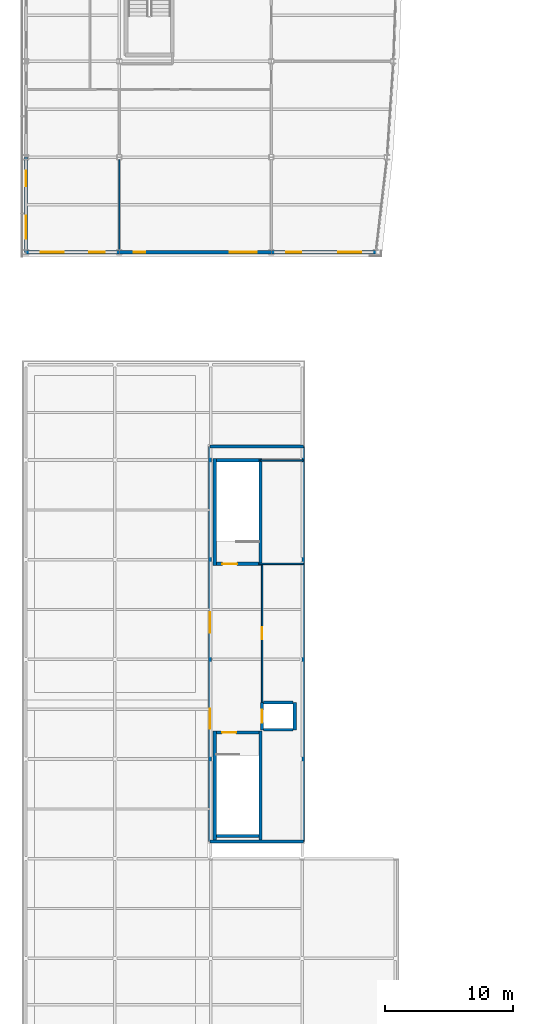
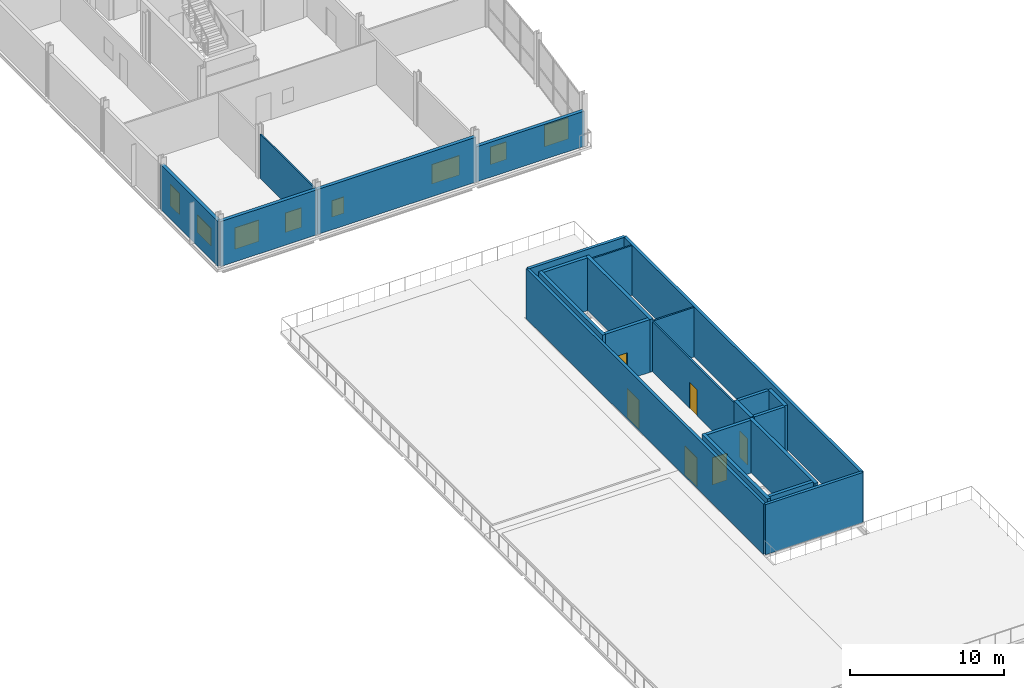
# One storey, part 23 of 36: 24 walls, 8 windows, 6 doors, 14 openings.
"""IFC4 building model written with IfcOpenShell, lengths in metres."""

import ifcopenshell
import ifcopenshell.guid

model = None  # the IFC model being written
_history = None  # IfcOwnerHistory: only IFC2X3 demands one
_inside = {}  # id of a spatial element -> (the spatial element, [elements in it])
_under = {}  # id of a project, library or spatial element -> (it, [spatial elements below it])
_declared = {}  # id of a project -> (the project, [libraries it declares])
_typed = {}  # id of a type object -> (the type object, [elements of that type])
_made_of = {}  # id of a material, layer set ... -> (it, [elements and type objects made of it])


def new_model(schema):
    """Start an empty IFC model of exactly this schema.

    Asked for "IFC4X3", IfcOpenShell would pick the latest addendum, in which some entities
    have other attributes; the version numbers below select the first issue.
    IFC2X3 requires an IfcOwnerHistory on every rooted entity: one is made here for all.
    """
    global model, _history
    if schema == "IFC4X3":
        model = ifcopenshell.file(schema_version=(4, 3, 0, 0))
    else:
        model = ifcopenshell.file(schema=schema)
    _inside.clear()
    _under.clear()
    _declared.clear()
    _typed.clear()
    _made_of.clear()
    _history = None
    if model.schema == "IFC2X3":
        org = make("IfcOrganization", Name="unknown")
        user = make(
            "IfcPersonAndOrganization",
            ThePerson=make("IfcPerson", FamilyName="unknown"),
            TheOrganization=org,
        )
        app = make(
            "IfcApplication",
            ApplicationDeveloper=org,
            Version="unknown",
            ApplicationFullName="unknown",
            ApplicationIdentifier="unknown",
        )
        _history = make(
            "IfcOwnerHistory",
            OwningUser=user,
            OwningApplication=app,
            ChangeAction="ADDED",
            CreationDate=0,
        )
    return model


def make(cls, **values):
    """One entity of the class cls with the attributes given. An attribute that is None is left unset."""
    return model.create_entity(
        cls, **{name: value for name, value in values.items() if value is not None}
    )


def rooted(cls, **values):
    """An entity with a GlobalId (a new one), such as an element, a storey or a relation."""
    return make(cls, GlobalId=ifcopenshell.guid.new(), OwnerHistory=_history, **values)


def si_unit(unit_type, name, prefix=None):
    """IfcSIUnit, for example si_unit("LENGTHUNIT", "METRE", prefix="MILLI")."""
    return make("IfcSIUnit", UnitType=unit_type, Prefix=prefix, Name=name)


def assignment(units):
    """IfcUnitAssignment: the units of a project."""
    return None if units is None else make("IfcUnitAssignment", Units=units)


def point(xyz):
    """IfcCartesianPoint."""
    return None if xyz is None else make("IfcCartesianPoint", Coordinates=xyz)


def direction(xyz):
    """IfcDirection."""
    return None if xyz is None else make("IfcDirection", DirectionRatios=xyz)


def frame(location, z_axis=None, x_axis=None):
    """IfcAxis2Placement3D, a coordinate frame: its origin and axes. An axis left out is left unset."""
    return make(
        "IfcAxis2Placement3D",
        Location=point(location),
        Axis=direction(z_axis),
        RefDirection=direction(x_axis),
    )


def frame_2d(location, x_axis=None):
    """IfcAxis2Placement2D, a coordinate frame in the plane: its origin and x axis."""
    return make(
        "IfcAxis2Placement2D", Location=point(location), RefDirection=direction(x_axis)
    )


def origin():
    """The frame at (0, 0, 0) with its axes left unset."""
    return frame((0.0, 0.0, 0.0))


def place(relative_to, where):
    """IfcLocalPlacement: puts the frame where relative to a parent placement (None: the world)."""
    return make(
        "IfcLocalPlacement", PlacementRelTo=relative_to, RelativePlacement=where
    )


def context(
    kind, dimensions, precision=None, world=None, true_north=None, identifier=None
):
    """IfcGeometricRepresentationContext, for example the 3D "Model" context."""
    return make(
        "IfcGeometricRepresentationContext",
        ContextIdentifier=identifier,
        ContextType=kind,
        CoordinateSpaceDimension=dimensions,
        Precision=precision,
        WorldCoordinateSystem=world,
        TrueNorth=true_north,
    )


def subcontext(parent, identifier, kind, view, scale=None):
    """IfcGeometricRepresentationSubContext, for example "Body" below "Model"."""
    return make(
        "IfcGeometricRepresentationSubContext",
        ContextIdentifier=identifier,
        ContextType=kind,
        ParentContext=parent,
        TargetScale=scale,
        TargetView=view,
    )


def project(units=None, contexts=None):
    """IfcProject with its units and contexts."""
    return rooted(
        "IfcProject",
        Name="project",
        RepresentationContexts=contexts,
        UnitsInContext=assignment(units),
    )


def spatial(cls, under=None, at=None, **own):
    """A site, building, storey or space (cls), placed at a placement, below another one or the project."""
    s = rooted(cls, ObjectPlacement=at, **own)
    if under is not None:
        _under.setdefault(under.id(), (under, []))[1].append(s)
    return s


def profile(cls, at=None, kind="AREA", **sizes):
    """A parametric profile (cls). Its sizes go by their IFC names, for example OverallWidth=200.0."""
    return make(cls, ProfileType=kind, Position=at, **sizes)


def rectangle(**sizes):
    """IfcRectangleProfileDef."""
    return profile("IfcRectangleProfileDef", **sizes)


def extrude(swept, where, along, depth):
    """IfcExtrudedAreaSolid: the profile swept, set in the frame where, extruded along a direction by depth."""
    return make(
        "IfcExtrudedAreaSolid",
        SweptArea=swept,
        Position=where,
        ExtrudedDirection=direction(along),
        Depth=depth,
    )


def shape(context_of_items, identifier, shape_type, items):
    """IfcShapeRepresentation: the items that make up one representation, for example the "Body"."""
    return make(
        "IfcShapeRepresentation",
        ContextOfItems=context_of_items,
        RepresentationIdentifier=identifier,
        RepresentationType=shape_type,
        Items=items,
    )


def material(Name=None, Category=None):
    """IfcMaterial."""
    return make("IfcMaterial", Name=Name, Category=Category)


def layer(
    of_material, thickness, ventilated=None, Name=None, Category=None, Priority=None
):
    """IfcMaterialLayer: one layer of a wall or slab, of a material (None: an air gap)."""
    return make(
        "IfcMaterialLayer",
        Material=of_material,
        LayerThickness=thickness,
        IsVentilated=ventilated,
        Name=Name,
        Category=Category,
        Priority=Priority,
    )


def layer_set(layers, Name=None):
    """IfcMaterialLayerSet."""
    return make("IfcMaterialLayerSet", MaterialLayers=layers, LayerSetName=Name)


def made_of(thing, what):
    """Note that an element or type object is made of a material, layer set ...; save() writes the relation."""
    if what is not None:
        _made_of.setdefault(what.id(), (what, []))[1].append(thing)
    return thing


def type_object(cls, material=None, **own):
    """A type object (cls), such as IfcWallType, which elements share."""
    return made_of(rooted(cls, **own), material)


def element(
    cls,
    number,
    at=None,
    inside=None,
    cuts=None,
    type_object=None,
    material=None,
    context=None,
    identifier="Body",
    shape_type=None,
    held_by="IfcProductDefinitionShape",
    body=None,
    shapes=None,
    **own,
):
    """One element of the class cls, such as IfcWall. Its Tag is "e" and its number.

    at: its placement. inside: the storey or other place that contains it. cuts: it is an
    opening in that element (IfcRelVoidsElement). A single representation is given by context,
    identifier, shape_type and body (its items); several are given by shapes. held_by: the class
    of the entity that holds the representations. save() writes the other relations.
    """
    e = rooted(cls, Tag="e%d" % number, ObjectPlacement=at, **own)
    if body is not None:
        shapes = [shape(context, identifier, shape_type, body)]
    if shapes is not None:
        e.Representation = make(held_by, Representations=shapes)
    if inside is not None:
        _inside.setdefault(inside.id(), (inside, []))[1].append(e)
    if cuts is not None:
        rooted(
            "IfcRelVoidsElement", RelatingBuildingElement=cuts, RelatedOpeningElement=e
        )
    if type_object is not None:
        _typed.setdefault(type_object.id(), (type_object, []))[1].append(e)
    return made_of(e, material)


def fill(opening, filler):
    """IfcRelFillsElement: the door or window that sits in an opening."""
    return rooted(
        "IfcRelFillsElement",
        RelatingOpeningElement=opening,
        RelatedBuildingElement=filler,
    )


def aggregate(whole, parts):
    """IfcRelAggregates: a whole, such as a stair, and the parts it consists of."""
    return rooted("IfcRelAggregates", RelatingObject=whole, RelatedObjects=parts)


def save(model, path):
    """Write the relations noted so far, then the file.

    IfcRelAggregates (storeys below a building ...), IfcRelContainedInSpatialStructure (elements
    in a storey), IfcRelDefinesByType, IfcRelAssociatesMaterial and IfcRelDeclares: one each for
    every whole, place, type object, material and project.
    """
    for whole, parts in _under.values():
        aggregate(whole, parts)
    for where, things in _inside.values():
        rooted(
            "IfcRelContainedInSpatialStructure",
            RelatedElements=things,
            RelatingStructure=where,
        )
    for kind, things in _typed.values():
        rooted("IfcRelDefinesByType", RelatedObjects=things, RelatingType=kind)
    for what, things in _made_of.values():
        rooted("IfcRelAssociatesMaterial", RelatedObjects=things, RelatingMaterial=what)
    for by, libraries in _declared.values():
        rooted("IfcRelDeclares", RelatingContext=by, RelatedDefinitions=libraries)
    model.write(path)


model = new_model("IFC4")

# Units and contexts
model_context = context("Model", 3, precision=1e-05, world=origin(), true_north=direction((0.0, 1.0)))
body_context = subcontext(model_context, "Body", "Model", "MODEL_VIEW")
ifc_project = project(units=[si_unit("LENGTHUNIT", "METRE"), si_unit("AREAUNIT", "SQUARE_METRE"), si_unit("VOLUMEUNIT", "CUBIC_METRE"), si_unit("PLANEANGLEUNIT", "RADIAN"), si_unit("MASSUNIT", "GRAM", prefix="KILO")], contexts=[model_context])

# Site, building, storey
site_placement = place(None, origin())
site = spatial("IfcSite", under=ifc_project, at=site_placement, CompositionType="ELEMENT")
building_placement = place(site_placement, origin())
building = spatial("IfcBuilding", under=site, at=building_placement, Name="Quillay Park Conservatory", CompositionType="ELEMENT")
storey_placement = place(building_placement, frame((0.0, 0.0, 18.300048828125)))
storey = spatial("IfcBuildingStorey", under=building, at=storey_placement, Name="L04", CompositionType="ELEMENT", Elevation=18.300048828125)

# Walls
ifc_material_1 = material(Name="Steel-Stud Acoustic Gypsum Board Partition", Category="steel")
ifc_layer_1 = layer(ifc_material_1, 0.110107421875)
ifc_layer_set_1 = layer_set([ifc_layer_1], Name="ACOUSTIC GYPSUM PARTITION 110 (Steel-Stud Acoustic Gypsum Board Partition)")
wall_type_1 = type_object("IfcWallType", Name="ACOUSTIC GYPSUM PARTITION 110", PredefinedType="PARTITIONING", material=ifc_layer_set_1)
wall_1_placement = place(storey_placement, frame((7.85009765625, 63.235107421875, 0.0), z_axis=(0.0, 0.0, 1.0), x_axis=(0.0, 1.0, 0.0)))
element("IfcWall", 1, at=wall_1_placement, inside=storey, type_object=wall_type_1, Name="L04 Optical Dissection Microscopy Suite East Wall S", PredefinedType="PARTITIONING", context=body_context, shape_type="SweptSolid", body=[
    extrude(rectangle(XDim=7.072509765625, YDim=0.110107421875, at=frame_2d((3.5361328125, 0.0))), origin(), (0.0, 0.0, 1.0), 3.52685546875),
])
ifc_material_2 = material(Name="Steel-Stud Acoustic Gypsum Board Partition", Category="steel")
ifc_layer_2 = layer(ifc_material_2, 0.114990234375)
ifc_layer_set_2 = layer_set([ifc_layer_2], Name="ACOUSTIC GYPSUM PARTITION 115 (Steel-Stud Acoustic Gypsum Board Partition)")
wall_type_2 = type_object("IfcWallType", Name="ACOUSTIC GYPSUM PARTITION 115", PredefinedType="PARTITIONING", material=ifc_layer_set_2)
wall_2_placement = place(storey_placement, frame((18.89990234375, 46.77490234375, 0.0), z_axis=(0.0, 0.0, 1.0), x_axis=(1.0, 0.0, 0.0)))
element("IfcWall", 2, at=wall_2_placement, inside=storey, type_object=wall_type_2, Name="L04 Headhouse North Core Closure", PredefinedType="PARTITIONING", context=body_context, shape_type="SweptSolid", body=[
    extrude(rectangle(XDim=3.35009765625, YDim=0.114990234375, at=frame_2d((1.675048828125, 0.0))), origin(), (0.0, 0.0, 1.0), 3.949951171875),
])
ifc_material_3 = material(Name="Steel-Stud Acoustic Gypsum Board Partition", Category="steel")
ifc_layer_3 = layer(ifc_material_3, 0.1201171875)
ifc_layer_set_3 = layer_set([ifc_layer_3], Name="ACOUSTIC GYPSUM PARTITION 120 (Steel-Stud Acoustic Gypsum Board Partition)")
wall_type_3 = type_object("IfcWallType", Name="ACOUSTIC GYPSUM PARTITION 120", PredefinedType="PARTITIONING", material=ifc_layer_set_3)
wall_3_placement = place(storey_placement, frame((22.25, 38.675048828125, 0.0), z_axis=(0.0, 0.0, 1.0), x_axis=(-1.0, 0.0, 0.0)))
element("IfcWall", 3, at=wall_3_placement, inside=storey, type_object=wall_type_3, Name="L04 Teaching Lounge North Wall", PredefinedType="PARTITIONING", context=body_context, shape_type="SweptSolid", body=[
    extrude(rectangle(XDim=3.47998046875, YDim=0.1201171875, at=frame_2d((1.739990234375, 0.0))), origin(), (0.0, 0.0, 1.0), 3.949951171875),
])

# Wall, opening, door
ifc_material_4 = material(Name="Steel-Stud Acoustic Gypsum Board Partition", Category="steel")
ifc_layer_4 = layer(ifc_material_4, 0.125)
ifc_layer_set_4 = layer_set([ifc_layer_4], Name="ACOUSTIC GYPSUM PARTITION 125 (Steel-Stud Acoustic Gypsum Board Partition)")
wall_type_4 = type_object("IfcWallType", Name="ACOUSTIC GYPSUM PARTITION 125", PredefinedType="PARTITIONING", material=ifc_layer_set_4)
wall_4_placement = place(storey_placement, frame((19.02490234375, 27.824951171875, 0.0), z_axis=(0.0, 0.0, 1.0), x_axis=(0.0, 1.0, 0.0)))
wall_4 = element("IfcWall", 4, at=wall_4_placement, inside=storey, type_object=wall_type_4, Name="L04 Teaching Lounge West Door Wall", PredefinedType="PARTITIONING", context=body_context, shape_type="SweptSolid", body=[
    extrude(rectangle(XDim=10.85009765625, YDim=0.125, at=frame_2d((5.425048828125, 0.0))), origin(), (0.0, 0.0, 1.0), 3.949951171875),
])
opening_1_placement = place(wall_4_placement, frame((4.929931640625, 0.0, 0.0)))
opening_1 = element("IfcOpeningElement", 5, at=opening_1_placement, cuts=wall_4, Name="Opening D-RM32", PredefinedType="OPENING", context=body_context, shape_type="SweptSolid", body=[
    extrude(rectangle(XDim=0.93994140625, YDim=2.080078125, at=frame_2d((0.469970703125, 1.0400390625))), frame((0.0, 0.0625, 0.0), z_axis=(0.0, -1.0, 0.0), x_axis=(1.0, 0.0, 0.0)), (0.0, 0.0, 1.0), 0.125),
])
ifc_material_5 = material(Name="Thermally Broken Anodised Aluminium 6063-T6", Category="aluminium")
door_type_1 = type_object("IfcDoorType", Name="SINGLE SWING DOOR 940 X2080", OperationType="NOTDEFINED", PredefinedType="DOOR", material=ifc_material_5)
door_1_placement = place(opening_1_placement, origin())
door_1 = element("IfcDoor", 6, at=door_1_placement, inside=storey, type_object=door_type_1, Name="L04 Door to L04 Botanical Roof Garden Teaching Lounge", OperationType="SINGLE_SWING_RIGHT", OverallHeight=2.080078125, OverallWidth=0.93994140625, PredefinedType="DOOR", context=body_context, shape_type="SweptSolid", body=[
    extrude(rectangle(XDim=0.93994140625, YDim=2.080078125, at=frame_2d((0.469970703125, 1.0400390625))), frame((0.0, 0.02490234375, 0.0), z_axis=(0.0, -1.0, 0.0), x_axis=(1.0, 0.0, 0.0)), (0.0, 0.0, 1.0), 0.050048828125),
])
fill(opening_1, door_1)

# Walls
ifc_material_6 = material(Name="Concrete C35/45 (NCh170 Concrete C35/45)", Category="concrete")
ifc_layer_5 = layer(ifc_material_6, 0.22509765625)
ifc_layer_set_5 = layer_set([ifc_layer_5], Name="CORE SHEAR WALL 225 (Concrete C35/45 (NCh170 Concrete C35/45))")
wall_type_5 = type_object("IfcWallType", Name="CORE SHEAR WALL 225", PredefinedType="SHEAR", material=ifc_layer_set_5)
for number, where, z_axis, x_axis, name in (
    (7, (19.14990234375, 25.6875, 0.0), (0.0, 0.0, 1.0), (1.0, 0.0, 0.0), "L04 Core Shear Wall WL-LFV1S-L04"),
    (8, (19.14990234375, 27.8125, 0.0), (0.0, 0.0, 1.0), (1.0, 0.0, 0.0), "L04 Core Shear Wall WL-LFV1N-L04"),
):
    element("IfcWall", number, at=place(storey_placement, frame(where, z_axis=z_axis, x_axis=x_axis)), inside=storey, type_object=wall_type_5, Name=name, PredefinedType="SHEAR", context=body_context, shape_type="SweptSolid", body=[
        extrude(rectangle(XDim=2.300048828125, YDim=0.22509765625, at=frame_2d((1.14990234375, 0.0))), origin(), (0.0, 0.0, 1.0), 4.199951171875),
    ])
ifc_material_7 = material(Name="Concrete C40/50 (NCh170 Concrete C40/50)", Category="concrete")
ifc_layer_6 = layer(ifc_material_7, 0.25)
ifc_layer_set_6 = layer_set([ifc_layer_6], Name="CORE SHEAR WALL 250 (Concrete C40/50 (NCh170 Concrete C40/50))")
wall_type_6 = type_object("IfcWallType", Name="CORE SHEAR WALL 250", PredefinedType="SHEAR", material=ifc_layer_set_6)
for number, where, z_axis, x_axis, name in (
    (9, (15.324951171875, 17.06005859375, 0.0), (0.0, 0.0, 1.0), (0.0, 1.0, 0.0), "L04 Core Shear Wall WL-V1W-L04"),
    (10, (18.89501953125, 17.06005859375, 0.0), (0.0, 0.0, 1.0), (0.0, 1.0, 0.0), "L04 Core Shear Wall WL-V1E-L04"),
):
    element("IfcWall", number, at=place(storey_placement, frame(where, z_axis=z_axis, x_axis=x_axis)), inside=storey, type_object=wall_type_6, Name=name, PredefinedType="SHEAR", context=body_context, shape_type="SweptSolid", body=[
        extrude(rectangle(XDim=8.5400390625, YDim=0.25, at=frame_2d((4.27001953125, 0.0))), origin(), (0.0, 0.0, 1.0), 4.199951171875),
    ])
wall_5_placement = place(storey_placement, frame((15.449951171875, 17.375, 0.0), z_axis=(0.0, 0.0, 1.0), x_axis=(1.0, 0.0, 0.0)))
element("IfcWall", 11, at=wall_5_placement, inside=storey, type_object=wall_type_6, Name="L04 Core Shear Wall WL-V1S-L04", PredefinedType="SHEAR", context=body_context, shape_type="SweptSolid", body=[
    extrude(rectangle(XDim=3.320068359375, YDim=0.25, at=frame_2d((1.66015625, 0.0))), origin(), (0.0, 0.0, 1.0), 4.199951171875),
])

# Wall, opening, door
wall_6_placement = place(storey_placement, frame((15.449951171875, 25.47509765625, 0.0), z_axis=(0.0, 0.0, 1.0), x_axis=(1.0, 0.0, 0.0)))
wall_6 = element("IfcWall", 12, at=wall_6_placement, inside=storey, type_object=wall_type_6, Name="L04 Core Shear Wall WL-V1D-L04", PredefinedType="SHEAR", context=body_context, shape_type="SweptSolid", body=[
    extrude(rectangle(XDim=3.320068359375, YDim=0.25, at=frame_2d((1.66015625, 0.0))), origin(), (0.0, 0.0, 1.0), 4.199951171875),
])
opening_2_placement = place(wall_6_placement, frame((0.449951171875, 0.0, 0.0)))
opening_2 = element("IfcOpeningElement", 13, at=opening_2_placement, cuts=wall_6, Name="Opening D-ST01", PredefinedType="OPENING", context=body_context, shape_type="SweptSolid", body=[
    extrude(rectangle(XDim=1.10009765625, YDim=2.14990234375, at=frame_2d((0.550048828125, 1.074951171875))), frame((0.0, 0.125, 0.0), z_axis=(0.0, -1.0, 0.0), x_axis=(1.0, 0.0, 0.0)), (0.0, 0.0, 1.0), 0.25),
])
ifc_material_8 = material(Name="Steel ASTM A572 Grade 50", Category="steel")
door_type_2 = type_object("IfcDoorType", Name="FIRE RATED STAIR DOOR 1100 X2150", OperationType="NOTDEFINED", PredefinedType="DOOR", material=ifc_material_8)
door_2_placement = place(opening_2_placement, origin())
door_2 = element("IfcDoor", 14, at=door_2_placement, inside=storey, type_object=door_type_2, Name="L04 Visitor Stair ST-V1 Door", OperationType="SINGLE_SWING_LEFT", OverallHeight=2.14990234375, OverallWidth=1.10009765625, PredefinedType="DOOR", context=body_context, shape_type="SweptSolid", body=[
    extrude(rectangle(XDim=1.10009765625, YDim=2.14990234375, at=frame_2d((0.550048828125, 1.074951171875))), frame((0.0, 0.02490234375, 0.0), z_axis=(0.0, -1.0, 0.0), x_axis=(1.0, 0.0, 0.0)), (0.0, 0.0, 1.0), 0.050048828125),
])
fill(opening_2, door_2)

# Walls
for number, where, z_axis, x_axis, name in (
    (15, (15.324951171875, 38.550048828125, 0.0), (0.0, 0.0, 1.0), (0.0, 1.0, 0.0), "L04 Core Shear Wall WL-V2W-L04"),
    (16, (18.89501953125, 38.550048828125, 0.0), (0.0, 0.0, 1.0), (0.0, 1.0, 0.0), "L04 Core Shear Wall WL-V2E-L04"),
):
    element("IfcWall", number, at=place(storey_placement, frame(where, z_axis=z_axis, x_axis=x_axis)), inside=storey, type_object=wall_type_6, Name=name, PredefinedType="SHEAR", context=body_context, shape_type="SweptSolid", body=[
        extrude(rectangle(XDim=8.349853515625, YDim=0.25, at=frame_2d((4.1748046875, 0.0))), origin(), (0.0, 0.0, 1.0), 4.199951171875),
    ])
wall_7_placement = place(storey_placement, frame((15.449951171875, 46.77490234375, 0.0), z_axis=(0.0, 0.0, 1.0), x_axis=(1.0, 0.0, 0.0)))
element("IfcWall", 17, at=wall_7_placement, inside=storey, type_object=wall_type_6, Name="L04 Core Shear Wall WL-V2N-L04", PredefinedType="SHEAR", context=body_context, shape_type="SweptSolid", body=[
    extrude(rectangle(XDim=3.320068359375, YDim=0.25, at=frame_2d((1.66015625, 0.0))), origin(), (0.0, 0.0, 1.0), 4.199951171875),
])

# Wall, opening, door
wall_8_placement = place(storey_placement, frame((18.77001953125, 38.675048828125, 0.0), z_axis=(0.0, 0.0, 1.0), x_axis=(-1.0, 0.0, 0.0)))
wall_8 = element("IfcWall", 18, at=wall_8_placement, inside=storey, type_object=wall_type_6, Name="L04 Core Shear Wall WL-V2D-L04", PredefinedType="SHEAR", context=body_context, shape_type="SweptSolid", body=[
    extrude(rectangle(XDim=3.320068359375, YDim=0.25, at=frame_2d((1.66015625, 0.0))), origin(), (0.0, 0.0, 1.0), 4.199951171875),
])
opening_3_placement = place(wall_8_placement, frame((1.699951171875, 0.0, 0.0)))
opening_3 = element("IfcOpeningElement", 19, at=opening_3_placement, cuts=wall_8, Name="Opening D-ST02", PredefinedType="OPENING", context=body_context, shape_type="SweptSolid", body=[
    extrude(rectangle(XDim=1.14990234375, YDim=2.14990234375, at=frame_2d((0.574951171875, 1.074951171875))), frame((0.0, 0.125, 0.0), z_axis=(0.0, -1.0, 0.0), x_axis=(1.0, 0.0, 0.0)), (0.0, 0.0, 1.0), 0.25),
])
ifc_material_9 = material(Name="Steel ASTM A572 Grade 50", Category="steel")
door_type_3 = type_object("IfcDoorType", Name="FIRE RATED STAIR DOOR 1150 X2150", OperationType="NOTDEFINED", PredefinedType="DOOR", material=ifc_material_9)
door_3_placement = place(opening_3_placement, origin())
door_3 = element("IfcDoor", 20, at=door_3_placement, inside=storey, type_object=door_type_3, Name="L04 Visitor Stair ST-V2 Door", OperationType="SINGLE_SWING_RIGHT", OverallHeight=2.14990234375, OverallWidth=1.14990234375, PredefinedType="DOOR", context=body_context, shape_type="SweptSolid", body=[
    extrude(rectangle(XDim=1.14990234375, YDim=2.14990234375, at=frame_2d((0.574951171875, 1.074951171875))), frame((0.0, 0.02490234375, 0.0), z_axis=(0.0, -1.0, 0.0), x_axis=(1.0, 0.0, 0.0)), (0.0, 0.0, 1.0), 0.050048828125),
])
fill(opening_3, door_3)

# Wall
wall_9_placement = place(storey_placement, frame((21.574951171875, 25.675048828125, 0.0), z_axis=(0.0, 0.0, 1.0), x_axis=(0.0, 1.0, 0.0)))
element("IfcWall", 21, at=wall_9_placement, inside=storey, type_object=wall_type_6, Name="L04 Core Shear Wall WL-LFV1B-L04", PredefinedType="SHEAR", context=body_context, shape_type="SweptSolid", body=[
    extrude(rectangle(XDim=2.14990234375, YDim=0.25, at=frame_2d((1.074951171875, 0.0))), origin(), (0.0, 0.0, 1.0), 4.199951171875),
])

# Wall, opening, door
wall_10_placement = place(storey_placement, frame((19.02490234375, 25.675048828125, 0.0), z_axis=(0.0, 0.0, 1.0), x_axis=(0.0, 1.0, 0.0)))
wall_10 = element("IfcWall", 22, at=wall_10_placement, inside=storey, type_object=wall_type_6, Name="L04 Core Shear Wall WL-LFV1F-L04", PredefinedType="SHEAR", context=body_context, shape_type="SweptSolid", body=[
    extrude(rectangle(XDim=2.14990234375, YDim=0.25, at=frame_2d((1.074951171875, 0.0))), origin(), (0.0, 0.0, 1.0), 4.199951171875),
])
opening_4_placement = place(wall_10_placement, frame((0.574951171875, 0.0, 0.0)))
opening_4 = element("IfcOpeningElement", 23, at=opening_4_placement, cuts=wall_10, Name="Opening LD04", PredefinedType="OPENING", context=body_context, shape_type="SweptSolid", body=[
    extrude(rectangle(XDim=1.0, YDim=2.10009765625, at=frame_2d((0.5, 1.050048828125))), frame((0.0, 0.125, 0.0), z_axis=(0.0, -1.0, 0.0), x_axis=(1.0, 0.0, 0.0)), (0.0, 0.0, 1.0), 0.25),
])
ifc_material_10 = material(Name="Steel ASTM A572 Grade 50", Category="steel")
door_type_4 = type_object("IfcDoorType", Name="LIFT LANDING SLIDING DOOR 1000 X2100", OperationType="NOTDEFINED", PredefinedType="DOOR", material=ifc_material_10)
door_4_placement = place(opening_4_placement, origin())
door_4 = element("IfcDoor", 24, at=door_4_placement, inside=storey, type_object=door_type_4, Name="L04 LF-V1 Lift Landing Door LD04", OperationType="SLIDING_TO_LEFT", OverallHeight=2.10009765625, OverallWidth=1.0, PredefinedType="DOOR", context=body_context, shape_type="SweptSolid", body=[
    extrude(rectangle(XDim=1.0, YDim=2.10009765625, at=frame_2d((0.5, 1.050048828125))), frame((0.0, 0.02490234375, 0.0), z_axis=(0.0, -1.0, 0.0), x_axis=(1.0, 0.0, 0.0)), (0.0, 0.0, 1.0), 0.050048828125),
])
fill(opening_4, door_4)

# Wall, openings, doors
ifc_material_11 = material(Name="Glass-Fibre Reinforced Concrete (GRC) Cladding", Category="concrete")
ifc_layer_7 = layer(ifc_material_11, 0.219970703125)
ifc_layer_set_7 = layer_set([ifc_layer_7], Name="EXTERIOR SOLID WALL 220 (Glass-Fibre Reinforced Concrete (GRC) Cladding)")
wall_type_7 = type_object("IfcWallType", Name="EXTERIOR SOLID WALL 220", PredefinedType="SOLIDWALL", material=ifc_layer_set_7)
wall_11_placement = place(storey_placement, frame((14.949951171875, 16.949951171875, 0.0), z_axis=(0.0, 0.0, 1.0), x_axis=(0.0, 1.0, 0.0)))
wall_11 = element("IfcWall", 25, at=wall_11_placement, inside=storey, type_object=wall_type_7, Name="L04 Headhouse Structural Wall WL-EXT-L04-HHS", PredefinedType="SOLIDWALL", context=body_context, shape_type="SweptSolid", body=[
    extrude(rectangle(XDim=30.900146484375, YDim=0.219970703125, at=frame_2d((15.4501953125, 0.0))), origin(), (0.0, 0.0, 1.0), 3.98486328125),
])
opening_5_placement = place(wall_11_placement, frame((8.800048828125, 0.0, 0.0)))
opening_5 = element("IfcOpeningElement", 26, at=opening_5_placement, cuts=wall_11, Name="Opening D-TR05", PredefinedType="OPENING", context=body_context, shape_type="SweptSolid", body=[
    extrude(rectangle(XDim=1.60009765625, YDim=2.300048828125, at=frame_2d((0.800048828125, 1.14990234375))), frame((0.0, 0.10986328125, 0.0), z_axis=(0.0, -1.0, 0.0), x_axis=(1.0, 0.0, 0.0)), (0.0, 0.0, 1.0), 0.219970703125),
])
opening_6_placement = place(wall_11_placement, frame((16.35009765625, 0.0, 0.0)))
opening_6 = element("IfcOpeningElement", 27, at=opening_6_placement, cuts=wall_11, Name="Opening D-TR05", PredefinedType="OPENING", context=body_context, shape_type="SweptSolid", body=[
    extrude(rectangle(XDim=1.60009765625, YDim=2.300048828125, at=frame_2d((0.800048828125, 1.14990234375))), frame((0.0, 0.10986328125, 0.0), z_axis=(0.0, -1.0, 0.0), x_axis=(1.0, 0.0, 0.0)), (0.0, 0.0, 1.0), 0.219970703125),
])
ifc_material_12 = material(Name="Thermally Broken Anodised Aluminium 6063-T6", Category="aluminium")
door_type_5 = type_object("IfcDoorType", Name="TERRACE GLAZED DOOR 1600 X2300", OperationType="NOTDEFINED", PredefinedType="DOOR", material=ifc_material_12)
door_5_placement = place(opening_5_placement, origin())
door_5 = element("IfcDoor", 28, at=door_5_placement, inside=storey, type_object=door_type_5, Name="L04 Visitor South Roof Garden Door", OperationType="SINGLE_SWING_RIGHT", OverallHeight=2.300048828125, OverallWidth=1.60009765625, PredefinedType="DOOR", context=body_context, shape_type="SweptSolid", body=[
    extrude(rectangle(XDim=1.60009765625, YDim=2.300048828125, at=frame_2d((0.800048828125, 1.14990234375))), frame((0.0, 0.02490234375, 0.0), z_axis=(0.0, -1.0, 0.0), x_axis=(1.0, 0.0, 0.0)), (0.0, 0.0, 1.0), 0.050048828125),
])
fill(opening_5, door_5)
door_6_placement = place(opening_6_placement, origin())
door_6 = element("IfcDoor", 29, at=door_6_placement, inside=storey, type_object=door_type_5, Name="L04 Visitor North Roof Garden Door", OperationType="SINGLE_SWING_LEFT", OverallHeight=2.300048828125, OverallWidth=1.60009765625, PredefinedType="DOOR", context=body_context, shape_type="SweptSolid", body=[
    extrude(rectangle(XDim=1.60009765625, YDim=2.300048828125, at=frame_2d((0.800048828125, 1.14990234375))), frame((0.0, 0.02490234375, 0.0), z_axis=(0.0, -1.0, 0.0), x_axis=(1.0, 0.0, 0.0)), (0.0, 0.0, 1.0), 0.050048828125),
])
fill(opening_6, door_6)

# Walls
wall_12_placement = place(storey_placement, frame((22.25, 47.85009765625, 0.0), z_axis=(0.0, 0.0, 1.0), x_axis=(0.0, -1.0, 0.0)))
element("IfcWall", 30, at=wall_12_placement, inside=storey, type_object=wall_type_7, Name="L04 Headhouse Structural Wall WL-EXT-L04-HHE", PredefinedType="SOLIDWALL", context=body_context, shape_type="SweptSolid", body=[
    extrude(rectangle(XDim=30.900146484375, YDim=0.219970703125, at=frame_2d((15.4501953125, 0.0))), origin(), (0.0, 0.0, 1.0), 3.98486328125),
])
for number, where, z_axis, x_axis, name in (
    (31, (14.949951171875, 47.85009765625, 0.0), (0.0, 0.0, 1.0), (1.0, 0.0, 0.0), "L04 Headhouse Structural Wall WL-EXT-L04-HHTOP"),
    (32, (22.25, 16.949951171875, 0.0), (0.0, 0.0, 1.0), (-1.0, 0.0, 0.0), "L04 Headhouse Structural Wall WL-EXT-L04-HHBOT"),
):
    element("IfcWall", number, at=place(storey_placement, frame(where, z_axis=z_axis, x_axis=x_axis)), inside=storey, type_object=wall_type_7, Name=name, PredefinedType="SOLIDWALL", context=body_context, shape_type="SweptSolid", body=[
        extrude(rectangle(XDim=7.300048828125, YDim=0.219970703125, at=frame_2d((3.64990234375, 0.0))), origin(), (0.0, 0.0, 1.0), 3.98486328125),
    ])

# Wall, openings, windows
ifc_material_13 = material(Name="Glass-Fibre Reinforced Concrete (GRC) Cladding", Category="concrete")
ifc_layer_8 = layer(ifc_material_13, 0.260009765625)
ifc_layer_set_8 = layer_set([ifc_layer_8], Name="EXTERIOR SOLID WALL 260 (Glass-Fibre Reinforced Concrete (GRC) Cladding)")
wall_type_8 = type_object("IfcWallType", Name="EXTERIOR SOLID WALL 260", PredefinedType="SOLIDWALL", material=ifc_layer_set_8)
wall_13_placement = place(storey_placement, frame((0.550048828125, 63.050048828125, 0.0), z_axis=(0.0, 0.0, 1.0), x_axis=(0.0, 1.0, 0.0)))
wall_13 = element("IfcWall", 33, at=wall_13_placement, inside=storey, type_object=wall_type_8, Name="L04 External Wall WL-EXT-V4W-L04-0", PredefinedType="SOLIDWALL", context=body_context, shape_type="SweptSolid", body=[
    extrude(rectangle(XDim=7.449951171875, YDim=0.260009765625, at=frame_2d((3.72509765625, 0.0))), origin(), (0.0, 0.0, 1.0), 3.576904296875),
])
opening_7_placement = place(wall_13_placement, frame((1.070068359375, 0.0, 0.919921875)))
opening_7 = element("IfcOpeningElement", 34, at=opening_7_placement, cuts=wall_13, Name="Opening W-05", PredefinedType="OPENING", context=body_context, shape_type="SweptSolid", body=[
    extrude(rectangle(XDim=1.800048828125, YDim=1.39990234375, at=frame_2d((0.89990234375, 0.699951171875))), frame((0.0, 0.1298828125, 0.0), z_axis=(0.0, -1.0, 0.0), x_axis=(1.0, 0.0, 0.0)), (0.0, 0.0, 1.0), 0.260009765625),
])
opening_8_placement = place(wall_13_placement, frame((5.179931640625, 0.0, 0.919921875)))
opening_8 = element("IfcOpeningElement", 35, at=opening_8_placement, cuts=wall_13, Name="Opening W-12", PredefinedType="OPENING", context=body_context, shape_type="SweptSolid", body=[
    extrude(rectangle(XDim=1.199951171875, YDim=1.699951171875, at=frame_2d((0.60009765625, 0.85009765625))), frame((0.0, 0.1298828125, 0.0), z_axis=(0.0, -1.0, 0.0), x_axis=(1.0, 0.0, 0.0)), (0.0, 0.0, 1.0), 0.260009765625),
])
ifc_material_14 = material(Name="Low-E Double Glazing (Laminated Tempered)", Category="glass")
window_type_1 = type_object("IfcWindowType", Name="FIXED CASEMENT WINDOW 1200 X1700", PartitioningType="SINGLE_PANEL", PredefinedType="WINDOW", material=ifc_material_14)
window_1_placement = place(opening_8_placement, origin())
window_1 = element("IfcWindow", 36, at=window_1_placement, inside=storey, type_object=window_type_1, Name="L04 Exterior Window 0145", OverallHeight=1.699951171875, OverallWidth=1.199951171875, PartitioningType="SINGLE_PANEL", PredefinedType="WINDOW", context=body_context, shape_type="SweptSolid", body=[
    extrude(rectangle(XDim=1.199951171875, YDim=1.699951171875, at=frame_2d((0.60009765625, 0.85009765625))), frame((0.0, 0.030029296875, 0.0), z_axis=(0.0, -1.0, 0.0), x_axis=(1.0, 0.0, 0.0)), (0.0, 0.0, 1.0), 0.06005859375),
])
fill(opening_8, window_1)
ifc_material_15 = material(Name="Low-E Double Glazing (Laminated Tempered)", Category="glass")
window_type_2 = type_object("IfcWindowType", Name="FIXED CASEMENT WINDOW 1800 X1400", PartitioningType="DOUBLE_PANEL_VERTICAL", PredefinedType="WINDOW", material=ifc_material_15)
window_2_placement = place(opening_7_placement, origin())
window_2 = element("IfcWindow", 37, at=window_2_placement, inside=storey, type_object=window_type_2, Name="L04 Exterior Window 0144", OverallHeight=1.39990234375, OverallWidth=1.800048828125, PartitioningType="DOUBLE_PANEL_VERTICAL", PredefinedType="WINDOW", context=body_context, shape_type="SweptSolid", body=[
    extrude(rectangle(XDim=1.800048828125, YDim=1.39990234375, at=frame_2d((0.89990234375, 0.699951171875))), frame((0.0, 0.030029296875, 0.0), z_axis=(0.0, -1.0, 0.0), x_axis=(1.0, 0.0, 0.0)), (0.0, 0.0, 1.0), 0.06005859375),
])
fill(opening_7, window_2)

wall_14_placement = place(storey_placement, frame((7.85009765625, 63.050048828125, 0.0), z_axis=(0.0, 0.0, 1.0), x_axis=(-1.0, 0.0, 0.0)))
wall_14 = element("IfcWall", 38, at=wall_14_placement, inside=storey, type_object=wall_type_8, Name="L04 External Wall WL-EXT-V4S1-L04", PredefinedType="SOLIDWALL", context=body_context, shape_type="SweptSolid", body=[
    extrude(rectangle(XDim=7.300048828125, YDim=0.260009765625, at=frame_2d((3.64990234375, 0.0))), origin(), (0.0, 0.0, 1.0), 3.576904296875),
])
opening_9_placement = place(wall_14_placement, frame((1.14990234375, 0.0, 0.919921875)))
opening_9 = element("IfcOpeningElement", 39, at=opening_9_placement, cuts=wall_14, Name="Opening W-07", PredefinedType="OPENING", context=body_context, shape_type="SweptSolid", body=[
    extrude(rectangle(XDim=1.199951171875, YDim=1.550048828125, at=frame_2d((0.60009765625, 0.77490234375))), frame((0.0, 0.1298828125, 0.0), z_axis=(0.0, -1.0, 0.0), x_axis=(1.0, 0.0, 0.0)), (0.0, 0.0, 1.0), 0.260009765625),
])
opening_10_placement = place(wall_14_placement, frame((4.35009765625, 0.0, 0.919921875)))
opening_10 = element("IfcOpeningElement", 40, at=opening_10_placement, cuts=wall_14, Name="Opening W-14", PredefinedType="OPENING", context=body_context, shape_type="SweptSolid", body=[
    extrude(rectangle(XDim=1.800048828125, YDim=1.699951171875, at=frame_2d((0.89990234375, 0.85009765625))), frame((0.0, 0.1298828125, 0.0), z_axis=(0.0, -1.0, 0.0), x_axis=(1.0, 0.0, 0.0)), (0.0, 0.0, 1.0), 0.260009765625),
])
ifc_material_16 = material(Name="Low-E Double Glazing (Laminated Tempered)", Category="glass")
window_type_3 = type_object("IfcWindowType", Name="FIXED CASEMENT WINDOW 1200 X1550", PartitioningType="SINGLE_PANEL", PredefinedType="WINDOW", material=ifc_material_16)
window_3_placement = place(opening_9_placement, origin())
window_3 = element("IfcWindow", 41, at=window_3_placement, inside=storey, type_object=window_type_3, Name="L04 Exterior Window 0158", OverallHeight=1.550048828125, OverallWidth=1.199951171875, PartitioningType="SINGLE_PANEL", PredefinedType="WINDOW", context=body_context, shape_type="SweptSolid", body=[
    extrude(rectangle(XDim=1.199951171875, YDim=1.550048828125, at=frame_2d((0.60009765625, 0.77490234375))), frame((0.0, 0.030029296875, 0.0), z_axis=(0.0, -1.0, 0.0), x_axis=(1.0, 0.0, 0.0)), (0.0, 0.0, 1.0), 0.06005859375),
])
fill(opening_9, window_3)
ifc_material_17 = material(Name="Low-E Double Glazing (Laminated Tempered)", Category="glass")
window_type_4 = type_object("IfcWindowType", Name="FIXED CASEMENT WINDOW 1800 X1700", PartitioningType="DOUBLE_PANEL_VERTICAL", PredefinedType="WINDOW", material=ifc_material_17)
window_4_placement = place(opening_10_placement, origin())
window_4 = element("IfcWindow", 42, at=window_4_placement, inside=storey, type_object=window_type_4, Name="L04 Exterior Window 0159", OverallHeight=1.699951171875, OverallWidth=1.800048828125, PartitioningType="DOUBLE_PANEL_VERTICAL", PredefinedType="WINDOW", context=body_context, shape_type="SweptSolid", body=[
    extrude(rectangle(XDim=1.800048828125, YDim=1.699951171875, at=frame_2d((0.89990234375, 0.85009765625))), frame((0.0, 0.030029296875, 0.0), z_axis=(0.0, -1.0, 0.0), x_axis=(1.0, 0.0, 0.0)), (0.0, 0.0, 1.0), 0.06005859375),
])
fill(opening_10, window_4)

wall_15_placement = place(storey_placement, frame((19.75, 63.050048828125, 0.0), z_axis=(0.0, 0.0, 1.0), x_axis=(-1.0, 0.0, 0.0)))
wall_15 = element("IfcWall", 43, at=wall_15_placement, inside=storey, type_object=wall_type_8, Name="L04 External Wall WL-EXT-V4S2-L04", PredefinedType="SOLIDWALL", context=body_context, shape_type="SweptSolid", body=[
    extrude(rectangle(XDim=11.89990234375, YDim=0.260009765625, at=frame_2d((5.949951171875, 0.0))), origin(), (0.0, 0.0, 1.0), 3.576904296875),
])
opening_11_placement = place(wall_15_placement, frame((1.14990234375, 0.0, 0.919921875)))
opening_11 = element("IfcOpeningElement", 44, at=opening_11_placement, cuts=wall_15, Name="Opening W-10", PredefinedType="OPENING", context=body_context, shape_type="SweptSolid", body=[
    extrude(rectangle(XDim=2.10009765625, YDim=1.550048828125, at=frame_2d((1.050048828125, 0.77490234375))), frame((0.0, 0.1298828125, 0.0), z_axis=(0.0, -1.0, 0.0), x_axis=(1.0, 0.0, 0.0)), (0.0, 0.0, 1.0), 0.260009765625),
])
opening_12_placement = place(wall_15_placement, frame((9.85009765625, 0.0, 0.919921875)))
opening_12 = element("IfcOpeningElement", 45, at=opening_12_placement, cuts=wall_15, Name="Opening W-17", PredefinedType="OPENING", context=body_context, shape_type="SweptSolid", body=[
    extrude(rectangle(XDim=0.89990234375, YDim=1.300048828125, at=frame_2d((0.449951171875, 0.64990234375))), frame((0.0, 0.1298828125, 0.0), z_axis=(0.0, -1.0, 0.0), x_axis=(1.0, 0.0, 0.0)), (0.0, 0.0, 1.0), 0.260009765625),
])
ifc_material_18 = material(Name="Low-E Double Glazing (Laminated Tempered)", Category="glass")
window_type_5 = type_object("IfcWindowType", Name="FIXED CASEMENT WINDOW 2100 X1550", PartitioningType="DOUBLE_PANEL_VERTICAL", PredefinedType="WINDOW", material=ifc_material_18)
window_5_placement = place(opening_11_placement, origin())
window_5 = element("IfcWindow", 46, at=window_5_placement, inside=storey, type_object=window_type_5, Name="L04 Exterior Window 0160", OverallHeight=1.550048828125, OverallWidth=2.10009765625, PartitioningType="DOUBLE_PANEL_VERTICAL", PredefinedType="WINDOW", context=body_context, shape_type="SweptSolid", body=[
    extrude(rectangle(XDim=2.10009765625, YDim=1.550048828125, at=frame_2d((1.050048828125, 0.77490234375))), frame((0.0, 0.030029296875, 0.0), z_axis=(0.0, -1.0, 0.0), x_axis=(1.0, 0.0, 0.0)), (0.0, 0.0, 1.0), 0.06005859375),
])
fill(opening_11, window_5)
ifc_material_19 = material(Name="Low-E Double Glazing (Laminated Tempered)", Category="glass")
window_type_6 = type_object("IfcWindowType", Name="FIXED CASEMENT WINDOW 900 X1300", PartitioningType="SINGLE_PANEL", PredefinedType="WINDOW", material=ifc_material_19)
window_6_placement = place(opening_12_placement, origin())
window_6 = element("IfcWindow", 47, at=window_6_placement, inside=storey, type_object=window_type_6, Name="L04 Exterior Window 0161", OverallHeight=1.300048828125, OverallWidth=0.89990234375, PartitioningType="SINGLE_PANEL", PredefinedType="WINDOW", context=body_context, shape_type="SweptSolid", body=[
    extrude(rectangle(XDim=0.89990234375, YDim=1.300048828125, at=frame_2d((0.449951171875, 0.64990234375))), frame((0.0, 0.030029296875, 0.0), z_axis=(0.0, -1.0, 0.0), x_axis=(1.0, 0.0, 0.0)), (0.0, 0.0, 1.0), 0.06005859375),
])
fill(opening_12, window_6)

wall_16_placement = place(storey_placement, frame((27.925048828125, 63.050048828125, 0.0), z_axis=(0.0, 0.0, 1.0), x_axis=(-1.0, 0.0, 0.0)))
wall_16 = element("IfcWall", 48, at=wall_16_placement, inside=storey, type_object=wall_type_8, Name="L04 External Wall WL-EXT-V4S3-L04", PredefinedType="SOLIDWALL", context=body_context, shape_type="SweptSolid", body=[
    extrude(rectangle(XDim=8.175048828125, YDim=0.260009765625, at=frame_2d((4.08740234375, 0.0))), origin(), (0.0, 0.0, 1.0), 2.7900390625),
])
opening_13_placement = place(wall_16_placement, frame((1.14990234375, 0.0, 0.919921875)))
opening_13 = element("IfcOpeningElement", 49, at=opening_13_placement, cuts=wall_16, Name="Opening W-14", PredefinedType="OPENING", context=body_context, shape_type="SweptSolid", body=[
    extrude(rectangle(XDim=1.800048828125, YDim=1.699951171875, at=frame_2d((0.89990234375, 0.85009765625))), frame((0.0, 0.1298828125, 0.0), z_axis=(0.0, -1.0, 0.0), x_axis=(1.0, 0.0, 0.0)), (0.0, 0.0, 1.0), 0.260009765625),
])
opening_14_placement = place(wall_16_placement, frame((5.824951171875, 0.0, 0.919921875)))
opening_14 = element("IfcOpeningElement", 50, at=opening_14_placement, cuts=wall_16, Name="Opening W-01", PredefinedType="OPENING", context=body_context, shape_type="SweptSolid", body=[
    extrude(rectangle(XDim=1.199951171875, YDim=1.39990234375, at=frame_2d((0.60009765625, 0.699951171875))), frame((0.0, 0.1298828125, 0.0), z_axis=(0.0, -1.0, 0.0), x_axis=(1.0, 0.0, 0.0)), (0.0, 0.0, 1.0), 0.260009765625),
])
ifc_material_20 = material(Name="Low-E Double Glazing (Laminated Tempered)", Category="glass")
window_type_7 = type_object("IfcWindowType", Name="FIXED CASEMENT WINDOW 1200 X1400", PartitioningType="SINGLE_PANEL", PredefinedType="WINDOW", material=ifc_material_20)
window_7_placement = place(opening_14_placement, origin())
window_7 = element("IfcWindow", 51, at=window_7_placement, inside=storey, type_object=window_type_7, Name="L04 Exterior Window 0163", OverallHeight=1.39990234375, OverallWidth=1.199951171875, PartitioningType="SINGLE_PANEL", PredefinedType="WINDOW", context=body_context, shape_type="SweptSolid", body=[
    extrude(rectangle(XDim=1.199951171875, YDim=1.39990234375, at=frame_2d((0.60009765625, 0.699951171875))), frame((0.0, 0.030029296875, 0.0), z_axis=(0.0, -1.0, 0.0), x_axis=(1.0, 0.0, 0.0)), (0.0, 0.0, 1.0), 0.06005859375),
])
fill(opening_14, window_7)
window_8_placement = place(opening_13_placement, origin())
window_8 = element("IfcWindow", 52, at=window_8_placement, inside=storey, type_object=window_type_4, Name="L04 Exterior Window 0162", OverallHeight=1.699951171875, OverallWidth=1.800048828125, PartitioningType="DOUBLE_PANEL_VERTICAL", PredefinedType="WINDOW", context=body_context, shape_type="SweptSolid", body=[
    extrude(rectangle(XDim=1.800048828125, YDim=1.699951171875, at=frame_2d((0.89990234375, 0.85009765625))), frame((0.0, 0.030029296875, 0.0), z_axis=(0.0, -1.0, 0.0), x_axis=(1.0, 0.0, 0.0)), (0.0, 0.0, 1.0), 0.06005859375),
])
fill(opening_13, window_8)

save(model, "model.ifc")
